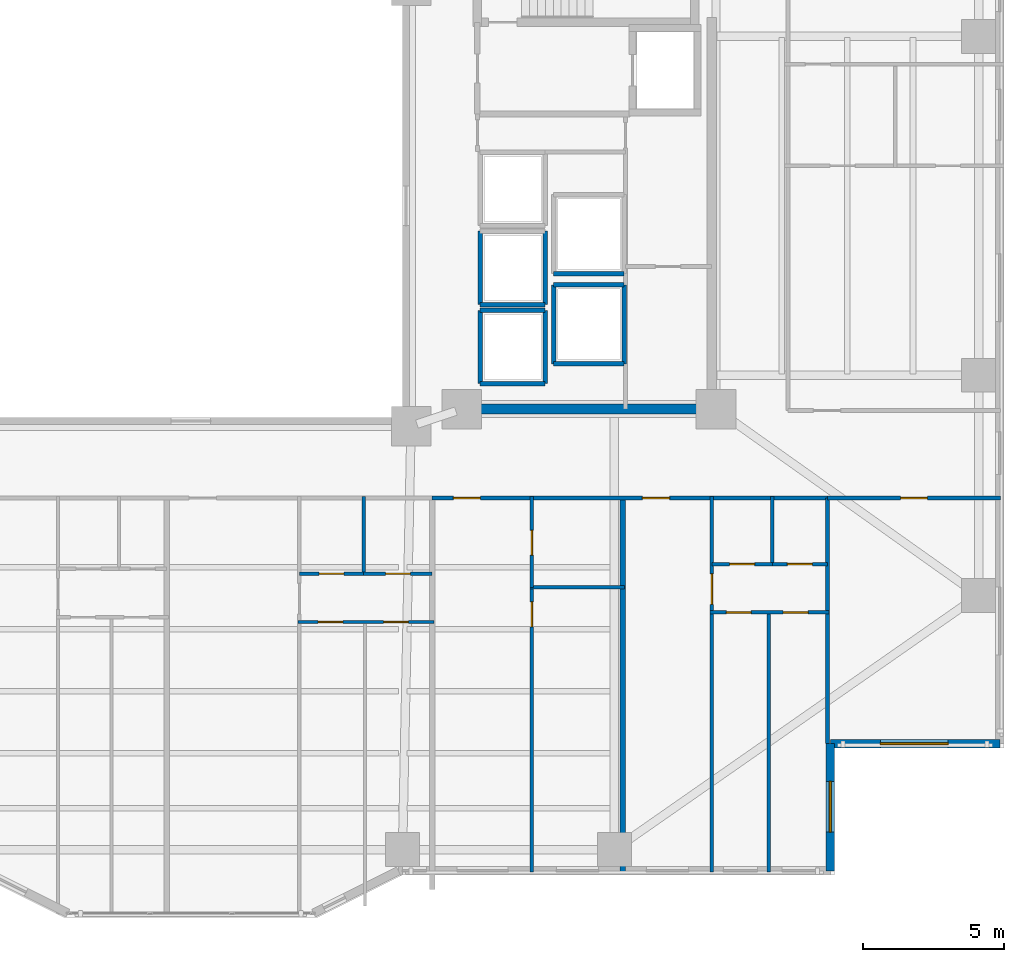
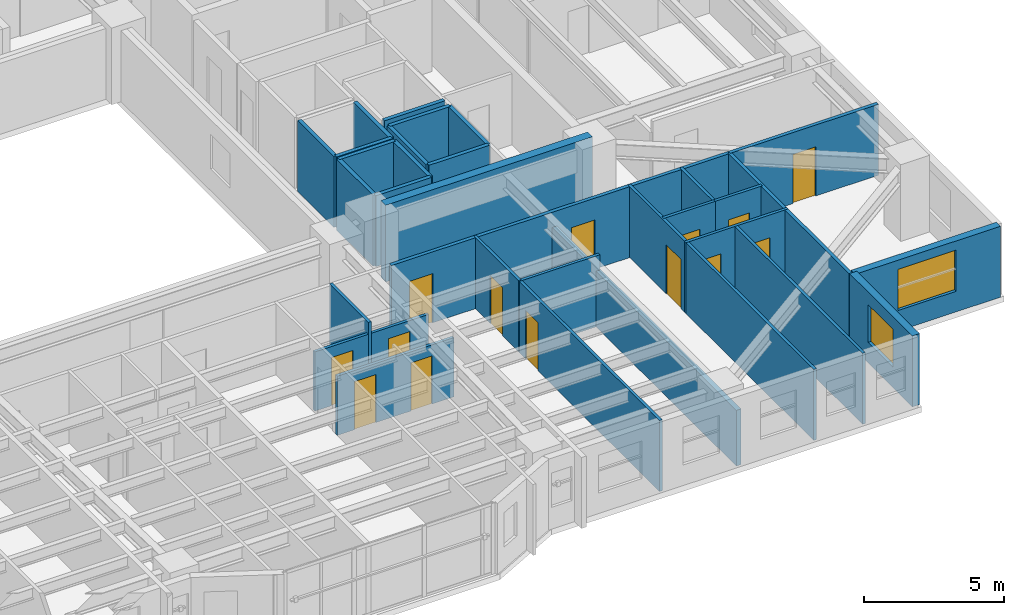
# One storey, part 12 of 21: 32 walls, 14 doors, 2 windows, 16 openings.
"""IFC4 building model written with IfcOpenShell, lengths in metres."""

from ifc_helpers import new_model, si_unit, direction, frame, frame_2d, origin, place, context, subcontext, project, spatial, rectangle, extrude, material, layer, layer_set, type_object, element, fill, save


model = new_model("IFC4")

# Units and contexts
model_context = context("Model", 3, precision=1e-05, world=origin(), true_north=direction((0.0, 1.0)))
body_context = subcontext(model_context, "Body", "Model", "MODEL_VIEW")
ifc_project = project(units=[si_unit("LENGTHUNIT", "METRE"), si_unit("AREAUNIT", "SQUARE_METRE"), si_unit("VOLUMEUNIT", "CUBIC_METRE"), si_unit("PLANEANGLEUNIT", "RADIAN"), si_unit("MASSUNIT", "GRAM", prefix="KILO")], contexts=[model_context])

# Site, building, storey
site_placement = place(None, origin())
site = spatial("IfcSite", under=ifc_project, at=site_placement, CompositionType="ELEMENT")
building_placement = place(site_placement, origin())
building = spatial("IfcBuilding", under=site, at=building_placement, Name="Tarnavaz Court Tower", CompositionType="ELEMENT")
storey_placement = place(building_placement, frame((0.0, 0.0, 44.10009765625)))
storey = spatial("IfcBuildingStorey", under=building, at=storey_placement, Name="L11", CompositionType="ELEMENT", Elevation=44.10009765625)

# Wall
ifc_material_1 = material(Name="Concrete C60/75", Category="concrete")
ifc_layer_1 = layer(ifc_material_1, 0.35009765625)
ifc_layer_set_1 = layer_set([ifc_layer_1], Name="Concrete C60/75")
wall_type_1 = type_object("IfcWallType", Name="WL-CORE-350-C60", PredefinedType="SHEAR", material=ifc_layer_set_1)
wall_1_placement = place(storey_placement, frame((10.074951171875, -7.199951171875, 0.0), z_axis=(0.0, 0.0, 1.0), x_axis=(1.0, 0.0, 0.0)))
element("IfcWall", 1, at=wall_1_placement, inside=storey, type_object=wall_type_1, Name="L11 East Core South Shear Wall 072", PredefinedType="SHEAR", context=body_context, shape_type="SweptSolid", body=[
    extrude(rectangle(XDim=8.550048828125, YDim=0.35009765625, at=frame_2d((4.27490234375, 0.0))), origin(), (0.0, 0.0, 1.0), 3.349853515625),
])

# Wall, opening, window
ifc_material_2 = material(Name="Precast Concrete C40/50", Category="concrete")
ifc_layer_2 = layer(ifc_material_2, 0.300048828125)
ifc_layer_set_2 = layer_set([ifc_layer_2], Name="Precast Concrete C40/50")
wall_type_2 = type_object("IfcWallType", Name="WL-EXT-300", PredefinedType="SOLIDWALL", material=ifc_layer_set_2)
wall_2_placement = place(storey_placement, frame((28.64990234375, -19.050048828125, 0.0), z_axis=(0.0, 0.0, 1.0), x_axis=(-1.0, 0.0, 0.0)))
wall_2 = element("IfcWall", 2, at=wall_2_placement, inside=storey, type_object=wall_type_2, Name="L11 Exterior Terracotta Facade Wall 13", PredefinedType="SOLIDWALL", context=body_context, shape_type="SweptSolid", body=[
    extrude(rectangle(XDim=6.0, YDim=0.300048828125, at=frame_2d((3.0, 0.0))), origin(), (0.0, 0.0, 1.0), 3.099853515625),
])
opening_1_placement = place(wall_2_placement, frame((1.824951171875, 0.0, 0.89990234375)))
opening_1 = element("IfcOpeningElement", 3, at=opening_1_placement, cuts=wall_2, Name="Opening W06", PredefinedType="OPENING", context=body_context, shape_type="SweptSolid", body=[
    extrude(rectangle(XDim=2.39990234375, YDim=1.800048828125, at=frame_2d((1.199951171875, 0.89990234375))), frame((0.0, 0.159912109375, 0.0), z_axis=(0.0, -1.0, 0.0), x_axis=(1.0, 0.0, 0.0)), (0.0, 0.0, 1.0), 0.320068359375),
])
ifc_material_3 = material(Name="Double-Glazed Solar Low-E Glass", Category="glass")
window_type_1 = type_object("IfcWindowType", Name="WN-APT-2400", PartitioningType="TRIPLE_PANEL_VERTICAL", PredefinedType="WINDOW", material=ifc_material_3)
window_1_placement = place(opening_1_placement, origin())
window_1 = element("IfcWindow", 4, at=window_1_placement, inside=storey, type_object=window_type_1, Name="L11 South-East Corner Reading Room Window", OverallHeight=1.800048828125, OverallWidth=2.39990234375, PartitioningType="SINGLE_PANEL", PredefinedType="WINDOW", context=body_context, shape_type="SweptSolid", body=[
    extrude(rectangle(XDim=2.39990234375, YDim=1.800048828125, at=frame_2d((1.199951171875, 0.89990234375))), frame((0.0, 0.030029296875, 0.0), z_axis=(0.0, -1.0, 0.0), x_axis=(1.0, 0.0, 0.0)), (0.0, 0.0, 1.0), 0.06005859375),
])
fill(opening_1, window_1)

wall_3_placement = place(storey_placement, frame((22.64990234375, -19.050048828125, 0.0), z_axis=(0.0, 0.0, 1.0), x_axis=(0.0, -1.0, 0.0)))
wall_3 = element("IfcWall", 5, at=wall_3_placement, inside=storey, type_object=wall_type_2, Name="L11 Exterior Terracotta Facade Wall 14", PredefinedType="SOLIDWALL", context=body_context, shape_type="SweptSolid", body=[
    extrude(rectangle(XDim=4.5, YDim=0.300048828125, at=frame_2d((2.25, 0.0))), origin(), (0.0, 0.0, 1.0), 3.099853515625),
])
opening_2_placement = place(wall_3_placement, frame((1.33251953125, 0.0, 0.89990234375)))
opening_2 = element("IfcOpeningElement", 6, at=opening_2_placement, cuts=wall_3, Name="Opening W01", PredefinedType="OPENING", context=body_context, shape_type="SweptSolid", body=[
    extrude(rectangle(XDim=1.800048828125, YDim=1.64990234375, at=frame_2d((0.89990234375, 0.824951171875))), frame((0.0, 0.159912109375, 0.0), z_axis=(0.0, -1.0, 0.0), x_axis=(1.0, 0.0, 0.0)), (0.0, 0.0, 1.0), 0.320068359375),
])
window_type_2 = type_object("IfcWindowType", Name="WN-APT-1800", PartitioningType="DOUBLE_PANEL_VERTICAL", PredefinedType="WINDOW", material=ifc_material_3)
window_2_placement = place(opening_2_placement, origin())
window_2 = element("IfcWindow", 7, at=window_2_placement, inside=storey, type_object=window_type_2, Name="L11 Flat 04 Bedroom 2 Window", OverallHeight=1.64990234375, OverallWidth=1.800048828125, PartitioningType="SINGLE_PANEL", PredefinedType="WINDOW", context=body_context, shape_type="SweptSolid", body=[
    extrude(rectangle(XDim=1.800048828125, YDim=1.64990234375, at=frame_2d((0.89990234375, 0.824951171875))), frame((0.0, 0.030029296875, 0.0), z_axis=(0.0, -1.0, 0.0), x_axis=(1.0, 0.0, 0.0)), (0.0, 0.0, 1.0), 0.06005859375),
])
fill(opening_2, window_2)

# Wall, openings, doors
ifc_material_4 = material(Name="Gypsum Fire-Board on Acoustic Metal Stud", Category="masonry")
ifc_layer_3 = layer(ifc_material_4, 0.14990234375)
ifc_layer_set_3 = layer_set([ifc_layer_3], Name="Gypsum Fire-Board on Acoustic Metal Stud")
wall_type_3 = type_object("IfcWallType", Name="WL-FIRE-150", PredefinedType="PARTITIONING", material=ifc_layer_set_3)
wall_4_placement = place(storey_placement, frame((8.550048828125, -10.35009765625, 0.0), z_axis=(0.0, 0.0, 1.0), x_axis=(1.0, 0.0, 0.0)))
wall_4 = element("IfcWall", 8, at=wall_4_placement, inside=storey, type_object=wall_type_3, Name="L11 SE Corridor Wall 086", PredefinedType="PARTITIONING", context=body_context, shape_type="SweptSolid", body=[
    extrude(rectangle(XDim=14.0, YDim=0.14990234375, at=frame_2d((7.0, 0.0))), origin(), (0.0, 0.0, 1.0), 3.099853515625),
])
opening_3_placement = place(wall_4_placement, frame((0.75, 0.0, 0.0)))
opening_3 = element("IfcOpeningElement", 9, at=opening_3_placement, cuts=wall_4, Name="Opening D06", PredefinedType="OPENING", context=body_context, shape_type="SweptSolid", body=[
    extrude(rectangle(XDim=0.9599609375, YDim=2.14990234375, at=frame_2d((0.47998046875, 1.074951171875))), frame((0.0, 0.0849609375, 0.0), z_axis=(0.0, -1.0, 0.0), x_axis=(1.0, 0.0, 0.0)), (0.0, 0.0, 1.0), 0.169921875),
])
opening_4_placement = place(wall_4_placement, frame((7.446044921875, 0.0, 0.0)))
opening_4 = element("IfcOpeningElement", 10, at=opening_4_placement, cuts=wall_4, Name="Opening D06", PredefinedType="OPENING", context=body_context, shape_type="SweptSolid", body=[
    extrude(rectangle(XDim=0.9599609375, YDim=2.14990234375, at=frame_2d((0.47998046875, 1.074951171875))), frame((0.0, 0.0849609375, 0.0), z_axis=(0.0, -1.0, 0.0), x_axis=(1.0, 0.0, 0.0)), (0.0, 0.0, 1.0), 0.169921875),
])
ifc_material_5 = material(Name="Fire-Rated Hardwood Timber Core", Category="wood")
door_type_1 = type_object("IfcDoorType", Name="DR-FD60-950", OperationType="NOTDEFINED", PredefinedType="DOOR", material=ifc_material_5)
door_1_placement = place(opening_3_placement, origin())
door_1 = element("IfcDoor", 11, at=door_1_placement, inside=storey, type_object=door_type_1, Name="L11 Flat 03 Entrance Door", OperationType="SINGLE_SWING_LEFT", OverallHeight=2.14990234375, OverallWidth=0.9599609375, PredefinedType="DOOR", context=body_context, shape_type="SweptSolid", body=[
    extrude(rectangle(XDim=0.9599609375, YDim=2.14990234375, at=frame_2d((0.47998046875, 1.074951171875))), frame((0.0, 0.02490234375, 0.0), z_axis=(0.0, -1.0, 0.0), x_axis=(1.0, 0.0, 0.0)), (0.0, 0.0, 1.0), 0.050048828125),
])
fill(opening_3, door_1)
door_2_placement = place(opening_4_placement, origin())
door_2 = element("IfcDoor", 12, at=door_2_placement, inside=storey, type_object=door_type_1, Name="L11 Flat 04 Entrance Door", OperationType="SINGLE_SWING_RIGHT", OverallHeight=2.14990234375, OverallWidth=0.9599609375, PredefinedType="DOOR", context=body_context, shape_type="SweptSolid", body=[
    extrude(rectangle(XDim=0.9599609375, YDim=2.14990234375, at=frame_2d((0.47998046875, 1.074951171875))), frame((0.0, 0.02490234375, 0.0), z_axis=(0.0, -1.0, 0.0), x_axis=(1.0, 0.0, 0.0)), (0.0, 0.0, 1.0), 0.050048828125),
])
fill(opening_4, door_2)

# Wall, opening, door
wall_5_placement = place(storey_placement, frame((22.550048828125, -10.35009765625, 0.0), z_axis=(0.0, 0.0, 1.0), x_axis=(1.0, 0.0, 0.0)))
wall_5 = element("IfcWall", 13, at=wall_5_placement, inside=storey, type_object=wall_type_3, Name="L11 Interior Partition 139", PredefinedType="PARTITIONING", context=body_context, shape_type="SweptSolid", body=[
    extrude(rectangle(XDim=6.1298828125, YDim=0.14990234375, at=frame_2d((3.06494140625, 0.0))), origin(), (0.0, 0.0, 1.0), 3.099853515625),
])
opening_5_placement = place(wall_5_placement, frame((2.590087890625, 0.0, 0.0)))
opening_5 = element("IfcOpeningElement", 14, at=opening_5_placement, cuts=wall_5, Name="Opening D13", PredefinedType="OPENING", context=body_context, shape_type="SweptSolid", body=[
    extrude(rectangle(XDim=0.949951171875, YDim=2.14990234375, at=frame_2d((0.47509765625, 1.074951171875))), frame((0.0, 0.0849609375, 0.0), z_axis=(0.0, -1.0, 0.0), x_axis=(1.0, 0.0, 0.0)), (0.0, 0.0, 1.0), 0.169921875),
])
ifc_material_6 = material(Name="Engineered Oak Timber", Category="wood")
door_type_2 = type_object("IfcDoorType", Name="DR-INT-950", OperationType="NOTDEFINED", PredefinedType="DOOR", material=ifc_material_6)
door_3_placement = place(opening_5_placement, origin())
door_3 = element("IfcDoor", 15, at=door_3_placement, inside=storey, type_object=door_type_2, Name="L11 SE Reading Room Door", OperationType="SINGLE_SWING_LEFT", OverallHeight=2.14990234375, OverallWidth=0.949951171875, PredefinedType="DOOR", context=body_context, shape_type="SweptSolid", body=[
    extrude(rectangle(XDim=0.949951171875, YDim=2.14990234375, at=frame_2d((0.47509765625, 1.074951171875))), frame((0.0, 0.02490234375, 0.0), z_axis=(0.0, -1.0, 0.0), x_axis=(1.0, 0.0, 0.0)), (0.0, 0.0, 1.0), 0.050048828125),
])
fill(opening_5, door_3)

# Wall
ifc_material_7 = material(Name="Autoclaved Aerated Concrete Blockwork", Category="masonry")
ifc_layer_4 = layer(ifc_material_7, 0.199951171875)
ifc_layer_set_4 = layer_set([ifc_layer_4], Name="Autoclaved Aerated Concrete Blockwork")
wall_type_4 = type_object("IfcWallType", Name="WL-FIRE-200", PredefinedType="SOLIDWALL", material=ifc_layer_set_4)
wall_6_placement = place(storey_placement, frame((15.2958984375, -23.60009765625, 0.0), z_axis=(0.0, 0.0, 1.0), x_axis=(0.0, 1.0, 0.0)))
element("IfcWall", 16, at=wall_6_placement, inside=storey, type_object=wall_type_4, Name="L11 Party Wall 103", PredefinedType="SOLIDWALL", context=body_context, shape_type="SweptSolid", body=[
    extrude(rectangle(XDim=13.25, YDim=0.199951171875, at=frame_2d((6.625, 0.0))), origin(), (0.0, 0.0, 1.0), 2.434814453125),
])

# Wall, opening, door
ifc_material_8 = material(Name="Moisture-Resistant Gypsum Board Partition", Category="masonry")
ifc_layer_5 = layer(ifc_material_8, 0.1201171875)
ifc_layer_set_5 = layer_set([ifc_layer_5], Name="Moisture-Resistant Gypsum Board Partition")
wall_type_5 = type_object("IfcWallType", Name="WL-PART-120", PredefinedType="PARTITIONING", material=ifc_layer_set_5)
wall_7_placement = place(storey_placement, frame((12.080078125, -23.60009765625, 0.0), z_axis=(0.0, 0.0, 1.0), x_axis=(0.0, 1.0, 0.0)))
wall_7 = element("IfcWall", 17, at=wall_7_placement, inside=storey, type_object=wall_type_5, Name="L11 Interior Partition 104", PredefinedType="PARTITIONING", context=body_context, shape_type="SweptSolid", body=[
    extrude(rectangle(XDim=10.090087890625, YDim=0.1201171875, at=frame_2d((5.044921875, 0.0))), origin(), (0.0, 0.0, 1.0), 3.099853515625),
])
opening_6_placement = place(wall_7_placement, frame((8.68994140625, 0.0, 0.0)))
opening_6 = element("IfcOpeningElement", 18, at=opening_6_placement, cuts=wall_7, Name="Opening D14", PredefinedType="OPENING", context=body_context, shape_type="SweptSolid", body=[
    extrude(rectangle(XDim=0.8798828125, YDim=2.10009765625, at=frame_2d((0.43994140625, 1.050048828125))), frame((0.0, 0.070068359375, 0.0), z_axis=(0.0, -1.0, 0.0), x_axis=(1.0, 0.0, 0.0)), (0.0, 0.0, 1.0), 0.14013671875),
])
door_type_3 = type_object("IfcDoorType", Name="DR-INT-900", OperationType="NOTDEFINED", PredefinedType="DOOR", material=ifc_material_6)
door_4_placement = place(opening_6_placement, origin())
door_4 = element("IfcDoor", 19, at=door_4_placement, inside=storey, type_object=door_type_3, Name="L11 Flat 03 Kitchen Door", OperationType="SINGLE_SWING_RIGHT", OverallHeight=2.10009765625, OverallWidth=0.8798828125, PredefinedType="DOOR", context=body_context, shape_type="SweptSolid", body=[
    extrude(rectangle(XDim=0.8798828125, YDim=2.10009765625, at=frame_2d((0.43994140625, 1.050048828125))), frame((0.0, 0.02490234375, 0.0), z_axis=(0.0, -1.0, 0.0), x_axis=(1.0, 0.0, 0.0)), (0.0, 0.0, 1.0), 0.050048828125),
])
fill(opening_6, door_4)

wall_8_placement = place(storey_placement, frame((12.080078125, -13.510009765625, 0.0), z_axis=(0.0, 0.0, 1.0), x_axis=(0.0, 1.0, 0.0)))
wall_8 = element("IfcWall", 20, at=wall_8_placement, inside=storey, type_object=wall_type_5, Name="L11 Interior Partition 105", PredefinedType="PARTITIONING", context=body_context, shape_type="SweptSolid", body=[
    extrude(rectangle(XDim=3.219970703125, YDim=0.1201171875, at=frame_2d((1.60986328125, 0.0))), origin(), (0.0, 0.0, 1.0), 3.099853515625),
])
opening_7_placement = place(wall_8_placement, frame((1.139892578125, 0.0, 0.0)))
opening_7 = element("IfcOpeningElement", 21, at=opening_7_placement, cuts=wall_8, Name="Opening D14", PredefinedType="OPENING", context=body_context, shape_type="SweptSolid", body=[
    extrude(rectangle(XDim=0.8798828125, YDim=2.10009765625, at=frame_2d((0.43994140625, 1.050048828125))), frame((0.0, 0.070068359375, 0.0), z_axis=(0.0, -1.0, 0.0), x_axis=(1.0, 0.0, 0.0)), (0.0, 0.0, 1.0), 0.14013671875),
])
door_5_placement = place(opening_7_placement, origin())
door_5 = element("IfcDoor", 22, at=door_5_placement, inside=storey, type_object=door_type_3, Name="L11 Flat 03 Bathroom Door", OperationType="SINGLE_SWING_LEFT", OverallHeight=2.10009765625, OverallWidth=0.8798828125, PredefinedType="DOOR", context=body_context, shape_type="SweptSolid", body=[
    extrude(rectangle(XDim=0.8798828125, YDim=2.10009765625, at=frame_2d((0.43994140625, 1.050048828125))), frame((0.0, 0.02490234375, 0.0), z_axis=(0.0, -1.0, 0.0), x_axis=(1.0, 0.0, 0.0)), (0.0, 0.0, 1.0), 0.050048828125),
])
fill(opening_7, door_5)

# Wall
wall_9_placement = place(storey_placement, frame((12.02001953125, -13.510009765625, 0.0), z_axis=(0.0, 0.0, 1.0), x_axis=(1.0, 0.0, 0.0)))
element("IfcWall", 23, at=wall_9_placement, inside=storey, type_object=wall_type_5, Name="L11 Interior Partition 106", PredefinedType="PARTITIONING", context=body_context, shape_type="SweptSolid", body=[
    extrude(rectangle(XDim=3.3359375, YDim=0.1201171875, at=frame_2d((1.66796875, 0.0))), origin(), (0.0, 0.0, 1.0), 3.099853515625),
])

# Wall, opening, door
wall_10_placement = place(storey_placement, frame((18.4560546875, -23.60009765625, 0.0), z_axis=(0.0, 0.0, 1.0), x_axis=(0.0, 1.0, 0.0)))
wall_10 = element("IfcWall", 24, at=wall_10_placement, inside=storey, type_object=wall_type_5, Name="L11 Interior Partition 107", PredefinedType="PARTITIONING", context=body_context, shape_type="SweptSolid", body=[
    extrude(rectangle(XDim=13.31005859375, YDim=0.1201171875, at=frame_2d((6.655029296875, 0.0))), origin(), (0.0, 0.0, 1.0), 3.099853515625),
])
opening_8_placement = place(wall_10_placement, frame((9.485107421875, 0.0, 0.0)))
opening_8 = element("IfcOpeningElement", 25, at=opening_8_placement, cuts=wall_10, Name="Opening D12", PredefinedType="OPENING", context=body_context, shape_type="SweptSolid", body=[
    extrude(rectangle(XDim=1.080078125, YDim=2.14990234375, at=frame_2d((0.5400390625, 1.074951171875))), frame((0.0, 0.070068359375, 0.0), z_axis=(0.0, -1.0, 0.0), x_axis=(1.0, 0.0, 0.0)), (0.0, 0.0, 1.0), 0.14013671875),
])
door_type_4 = type_object("IfcDoorType", Name="DR-INT-1100", OperationType="NOTDEFINED", PredefinedType="DOOR", material=ifc_material_6)
door_6_placement = place(opening_8_placement, origin())
door_6 = element("IfcDoor", 26, at=door_6_placement, inside=storey, type_object=door_type_4, Name="L11 Flat 04 Foyer Door", OperationType="SINGLE_SWING_LEFT", OverallHeight=2.14990234375, OverallWidth=1.080078125, PredefinedType="DOOR", context=body_context, shape_type="SweptSolid", body=[
    extrude(rectangle(XDim=1.080078125, YDim=2.14990234375, at=frame_2d((0.5400390625, 1.074951171875))), frame((0.0, 0.02490234375, 0.0), z_axis=(0.0, -1.0, 0.0), x_axis=(1.0, 0.0, 0.0)), (0.0, 0.0, 1.0), 0.050048828125),
])
fill(opening_8, door_6)

wall_11_placement = place(storey_placement, frame((18.4560546875, -12.68994140625, 0.0), z_axis=(0.0, 0.0, 1.0), x_axis=(1.0, 0.0, 0.0)))
wall_11 = element("IfcWall", 27, at=wall_11_placement, inside=storey, type_object=wall_type_5, Name="L11 Interior Partition 108", PredefinedType="PARTITIONING", context=body_context, shape_type="SweptSolid", body=[
    extrude(rectangle(XDim=2.137939453125, YDim=0.1201171875, at=frame_2d((1.06884765625, 0.0))), origin(), (0.0, 0.0, 1.0), 3.099853515625),
])
opening_9_placement = place(wall_11_placement, frame((0.62890625, 0.0, 0.0)))
opening_9 = element("IfcOpeningElement", 28, at=opening_9_placement, cuts=wall_11, Name="Opening D14", PredefinedType="OPENING", context=body_context, shape_type="SweptSolid", body=[
    extrude(rectangle(XDim=0.8798828125, YDim=2.10009765625, at=frame_2d((0.43994140625, 1.050048828125))), frame((0.0, 0.070068359375, 0.0), z_axis=(0.0, -1.0, 0.0), x_axis=(1.0, 0.0, 0.0)), (0.0, 0.0, 1.0), 0.14013671875),
])
door_7_placement = place(opening_9_placement, origin())
door_7 = element("IfcDoor", 29, at=door_7_placement, inside=storey, type_object=door_type_3, Name="L11 Flat 04 Kitchen Door", OperationType="SINGLE_SWING_RIGHT", OverallHeight=2.10009765625, OverallWidth=0.8798828125, PredefinedType="DOOR", context=body_context, shape_type="SweptSolid", body=[
    extrude(rectangle(XDim=0.8798828125, YDim=2.10009765625, at=frame_2d((0.43994140625, 1.050048828125))), frame((0.0, 0.02490234375, 0.0), z_axis=(0.0, -1.0, 0.0), x_axis=(1.0, 0.0, 0.0)), (0.0, 0.0, 1.0), 0.050048828125),
])
fill(opening_9, door_7)

wall_12_placement = place(storey_placement, frame((20.593994140625, -12.68994140625, 0.0), z_axis=(0.0, 0.0, 1.0), x_axis=(1.0, 0.0, 0.0)))
wall_12 = element("IfcWall", 30, at=wall_12_placement, inside=storey, type_object=wall_type_5, Name="L11 Interior Partition 109", PredefinedType="PARTITIONING", context=body_context, shape_type="SweptSolid", body=[
    extrude(rectangle(XDim=1.9560546875, YDim=0.1201171875, at=frame_2d((0.97802734375, 0.0))), origin(), (0.0, 0.0, 1.0), 3.099853515625),
])
opening_10_placement = place(wall_12_placement, frame((0.5380859375, 0.0, 0.0)))
opening_10 = element("IfcOpeningElement", 31, at=opening_10_placement, cuts=wall_12, Name="Opening D14", PredefinedType="OPENING", context=body_context, shape_type="SweptSolid", body=[
    extrude(rectangle(XDim=0.8798828125, YDim=2.10009765625, at=frame_2d((0.43994140625, 1.050048828125))), frame((0.0, 0.070068359375, 0.0), z_axis=(0.0, -1.0, 0.0), x_axis=(1.0, 0.0, 0.0)), (0.0, 0.0, 1.0), 0.14013671875),
])
door_8_placement = place(opening_10_placement, origin())
door_8 = element("IfcDoor", 32, at=door_8_placement, inside=storey, type_object=door_type_3, Name="L11 Flat 04 Bathroom Door", OperationType="SINGLE_SWING_LEFT", OverallHeight=2.10009765625, OverallWidth=0.8798828125, PredefinedType="DOOR", context=body_context, shape_type="SweptSolid", body=[
    extrude(rectangle(XDim=0.8798828125, YDim=2.10009765625, at=frame_2d((0.43994140625, 1.050048828125))), frame((0.0, 0.02490234375, 0.0), z_axis=(0.0, -1.0, 0.0), x_axis=(1.0, 0.0, 0.0)), (0.0, 0.0, 1.0), 0.050048828125),
])
fill(opening_10, door_8)

# Wall, openings, doors
wall_13_placement = place(storey_placement, frame((18.39599609375, -14.39990234375, 0.0), z_axis=(0.0, 0.0, 1.0), x_axis=(1.0, 0.0, 0.0)))
wall_13 = element("IfcWall", 33, at=wall_13_placement, inside=storey, type_object=wall_type_5, Name="L11 Interior Partition 110", PredefinedType="PARTITIONING", context=body_context, shape_type="SweptSolid", body=[
    extrude(rectangle(XDim=4.214111328125, YDim=0.1201171875, at=frame_2d((2.10693359375, 0.0))), origin(), (0.0, 0.0, 1.0), 3.099853515625),
])
opening_11_placement = place(wall_13_placement, frame((0.569091796875, 0.0, 0.0)))
opening_11 = element("IfcOpeningElement", 34, at=opening_11_placement, cuts=wall_13, Name="Opening D14", PredefinedType="OPENING", context=body_context, shape_type="SweptSolid", body=[
    extrude(rectangle(XDim=0.8798828125, YDim=2.10009765625, at=frame_2d((0.43994140625, 1.050048828125))), frame((0.0, 0.070068359375, 0.0), z_axis=(0.0, -1.0, 0.0), x_axis=(1.0, 0.0, 0.0)), (0.0, 0.0, 1.0), 0.14013671875),
])
opening_12_placement = place(wall_13_placement, frame((2.5859375, 0.0, 0.0)))
opening_12 = element("IfcOpeningElement", 35, at=opening_12_placement, cuts=wall_13, Name="Opening D14", PredefinedType="OPENING", context=body_context, shape_type="SweptSolid", body=[
    extrude(rectangle(XDim=0.8798828125, YDim=2.10009765625, at=frame_2d((0.43994140625, 1.050048828125))), frame((0.0, 0.070068359375, 0.0), z_axis=(0.0, -1.0, 0.0), x_axis=(1.0, 0.0, 0.0)), (0.0, 0.0, 1.0), 0.14013671875),
])
door_9_placement = place(opening_11_placement, origin())
door_9 = element("IfcDoor", 36, at=door_9_placement, inside=storey, type_object=door_type_3, Name="L11 Flat 04 Bedroom 1 Door", OperationType="SINGLE_SWING_RIGHT", OverallHeight=2.10009765625, OverallWidth=0.8798828125, PredefinedType="DOOR", context=body_context, shape_type="SweptSolid", body=[
    extrude(rectangle(XDim=0.8798828125, YDim=2.10009765625, at=frame_2d((0.43994140625, 1.050048828125))), frame((0.0, 0.02490234375, 0.0), z_axis=(0.0, -1.0, 0.0), x_axis=(1.0, 0.0, 0.0)), (0.0, 0.0, 1.0), 0.050048828125),
])
fill(opening_11, door_9)
door_10_placement = place(opening_12_placement, origin())
door_10 = element("IfcDoor", 37, at=door_10_placement, inside=storey, type_object=door_type_3, Name="L11 Flat 04 Bedroom 2 Door", OperationType="SINGLE_SWING_LEFT", OverallHeight=2.10009765625, OverallWidth=0.8798828125, PredefinedType="DOOR", context=body_context, shape_type="SweptSolid", body=[
    extrude(rectangle(XDim=0.8798828125, YDim=2.10009765625, at=frame_2d((0.43994140625, 1.050048828125))), frame((0.0, 0.02490234375, 0.0), z_axis=(0.0, -1.0, 0.0), x_axis=(1.0, 0.0, 0.0)), (0.0, 0.0, 1.0), 0.050048828125),
])
fill(opening_12, door_10)

# Walls
wall_14_placement = place(storey_placement, frame((20.593994140625, -12.75, 0.0), z_axis=(0.0, 0.0, 1.0), x_axis=(0.0, 1.0, 0.0)))
element("IfcWall", 38, at=wall_14_placement, inside=storey, type_object=wall_type_5, Name="L11 Interior Partition 111", PredefinedType="PARTITIONING", context=body_context, shape_type="SweptSolid", body=[
    extrude(rectangle(XDim=2.4599609375, YDim=0.1201171875, at=frame_2d((1.22998046875, 0.0))), origin(), (0.0, 0.0, 1.0), 3.099853515625),
])
wall_15_placement = place(storey_placement, frame((20.472900390625, -23.60009765625, 0.0), z_axis=(0.0, 0.0, 1.0), x_axis=(0.0, 1.0, 0.0)))
element("IfcWall", 39, at=wall_15_placement, inside=storey, type_object=wall_type_5, Name="L11 Interior Partition 112", PredefinedType="PARTITIONING", context=body_context, shape_type="SweptSolid", body=[
    extrude(rectangle(XDim=9.260009765625, YDim=0.1201171875, at=frame_2d((4.6298828125, 0.0))), origin(), (0.0, 0.0, 1.0), 3.099853515625),
])

# Wall, opening, door
wall_16_placement = place(storey_placement, frame((3.847900390625, -13.030029296875, 0.0), z_axis=(0.0, 0.0, 1.0), x_axis=(1.0, 0.0, 0.0)))
wall_16 = element("IfcWall", 40, at=wall_16_placement, inside=storey, type_object=wall_type_5, Name="L11 Interior Partition 123", PredefinedType="PARTITIONING", context=body_context, shape_type="SweptSolid", body=[
    extrude(rectangle(XDim=2.275146484375, YDim=0.1201171875, at=frame_2d((1.1376953125, 0.0))), origin(), (0.0, 0.0, 1.0), 2.5849609375),
])
opening_13_placement = place(wall_16_placement, frame((0.697998046875, 0.0, 0.0)))
opening_13 = element("IfcOpeningElement", 41, at=opening_13_placement, cuts=wall_16, Name="Opening D14", PredefinedType="OPENING", context=body_context, shape_type="SweptSolid", body=[
    extrude(rectangle(XDim=0.8798828125, YDim=2.10009765625, at=frame_2d((0.43994140625, 1.050048828125))), frame((0.0, 0.070068359375, 0.0), z_axis=(0.0, -1.0, 0.0), x_axis=(1.0, 0.0, 0.0)), (0.0, 0.0, 1.0), 0.14013671875),
])
door_11_placement = place(opening_13_placement, origin())
door_11 = element("IfcDoor", 42, at=door_11_placement, inside=storey, type_object=door_type_3, Name="L11 Flat 06 Kitchen Door", OperationType="SINGLE_SWING_RIGHT", OverallHeight=2.10009765625, OverallWidth=0.8798828125, PredefinedType="DOOR", context=body_context, shape_type="SweptSolid", body=[
    extrude(rectangle(XDim=0.8798828125, YDim=2.10009765625, at=frame_2d((0.43994140625, 1.050048828125))), frame((0.0, 0.02490234375, 0.0), z_axis=(0.0, -1.0, 0.0), x_axis=(1.0, 0.0, 0.0)), (0.0, 0.0, 1.0), 0.050048828125),
])
fill(opening_13, door_11)

wall_17_placement = place(storey_placement, frame((6.123046875, -13.030029296875, 0.0), z_axis=(0.0, 0.0, 1.0), x_axis=(1.0, 0.0, 0.0)))
wall_17 = element("IfcWall", 43, at=wall_17_placement, inside=storey, type_object=wall_type_5, Name="L11 Interior Partition 124", PredefinedType="PARTITIONING", context=body_context, shape_type="SweptSolid", body=[
    extrude(rectangle(XDim=2.427001953125, YDim=0.1201171875, at=frame_2d((1.21337890625, 0.0))), origin(), (0.0, 0.0, 1.0), 2.5849609375),
])
opening_14_placement = place(wall_17_placement, frame((0.77392578125, 0.0, 0.0)))
opening_14 = element("IfcOpeningElement", 44, at=opening_14_placement, cuts=wall_17, Name="Opening D14", PredefinedType="OPENING", context=body_context, shape_type="SweptSolid", body=[
    extrude(rectangle(XDim=0.8798828125, YDim=2.10009765625, at=frame_2d((0.43994140625, 1.050048828125))), frame((0.0, 0.070068359375, 0.0), z_axis=(0.0, -1.0, 0.0), x_axis=(1.0, 0.0, 0.0)), (0.0, 0.0, 1.0), 0.14013671875),
])
door_12_placement = place(opening_14_placement, origin())
door_12 = element("IfcDoor", 45, at=door_12_placement, inside=storey, type_object=door_type_3, Name="L11 Flat 06 Bathroom Door", OperationType="SINGLE_SWING_LEFT", OverallHeight=2.10009765625, OverallWidth=0.8798828125, PredefinedType="DOOR", context=body_context, shape_type="SweptSolid", body=[
    extrude(rectangle(XDim=0.8798828125, YDim=2.10009765625, at=frame_2d((0.43994140625, 1.050048828125))), frame((0.0, 0.02490234375, 0.0), z_axis=(0.0, -1.0, 0.0), x_axis=(1.0, 0.0, 0.0)), (0.0, 0.0, 1.0), 0.050048828125),
])
fill(opening_14, door_12)

# Wall, openings, doors
wall_18_placement = place(storey_placement, frame((3.7880859375, -14.739990234375, 0.0), z_axis=(0.0, 0.0, 1.0), x_axis=(1.0, 0.0, 0.0)))
wall_18 = element("IfcWall", 46, at=wall_18_placement, inside=storey, type_object=wall_type_5, Name="L11 Interior Partition 125", PredefinedType="PARTITIONING", context=body_context, shape_type="SweptSolid", body=[
    extrude(rectangle(XDim=4.822021484375, YDim=0.1201171875, at=frame_2d((2.4111328125, 0.0))), origin(), (0.0, 0.0, 1.0), 2.5849609375),
])
opening_15_placement = place(wall_18_placement, frame((0.720947265625, 0.0, 0.0)))
opening_15 = element("IfcOpeningElement", 47, at=opening_15_placement, cuts=wall_18, Name="Opening D14", PredefinedType="OPENING", context=body_context, shape_type="SweptSolid", body=[
    extrude(rectangle(XDim=0.8798828125, YDim=2.10009765625, at=frame_2d((0.43994140625, 1.050048828125))), frame((0.0, 0.070068359375, 0.0), z_axis=(0.0, -1.0, 0.0), x_axis=(1.0, 0.0, 0.0)), (0.0, 0.0, 1.0), 0.14013671875),
])
opening_16_placement = place(wall_18_placement, frame((3.0419921875, 0.0, 0.0)))
opening_16 = element("IfcOpeningElement", 48, at=opening_16_placement, cuts=wall_18, Name="Opening D14", PredefinedType="OPENING", context=body_context, shape_type="SweptSolid", body=[
    extrude(rectangle(XDim=0.8798828125, YDim=2.10009765625, at=frame_2d((0.43994140625, 1.050048828125))), frame((0.0, 0.070068359375, 0.0), z_axis=(0.0, -1.0, 0.0), x_axis=(1.0, 0.0, 0.0)), (0.0, 0.0, 1.0), 0.14013671875),
])
door_13_placement = place(opening_15_placement, origin())
door_13 = element("IfcDoor", 49, at=door_13_placement, inside=storey, type_object=door_type_3, Name="L11 Flat 06 Bedroom 1 Door", OperationType="SINGLE_SWING_RIGHT", OverallHeight=2.10009765625, OverallWidth=0.8798828125, PredefinedType="DOOR", context=body_context, shape_type="SweptSolid", body=[
    extrude(rectangle(XDim=0.8798828125, YDim=2.10009765625, at=frame_2d((0.43994140625, 1.050048828125))), frame((0.0, 0.02490234375, 0.0), z_axis=(0.0, -1.0, 0.0), x_axis=(1.0, 0.0, 0.0)), (0.0, 0.0, 1.0), 0.050048828125),
])
fill(opening_15, door_13)
door_14_placement = place(opening_16_placement, origin())
door_14 = element("IfcDoor", 50, at=door_14_placement, inside=storey, type_object=door_type_3, Name="L11 Flat 06 Bedroom 2 Door", OperationType="SINGLE_SWING_LEFT", OverallHeight=2.10009765625, OverallWidth=0.8798828125, PredefinedType="DOOR", context=body_context, shape_type="SweptSolid", body=[
    extrude(rectangle(XDim=0.8798828125, YDim=2.10009765625, at=frame_2d((0.43994140625, 1.050048828125))), frame((0.0, 0.02490234375, 0.0), z_axis=(0.0, -1.0, 0.0), x_axis=(1.0, 0.0, 0.0)), (0.0, 0.0, 1.0), 0.050048828125),
])
fill(opening_16, door_14)

# Walls
wall_19_placement = place(storey_placement, frame((6.123046875, -13.090087890625, 0.0), z_axis=(0.0, 0.0, 1.0), x_axis=(0.0, 1.0, 0.0)))
element("IfcWall", 51, at=wall_19_placement, inside=storey, type_object=wall_type_5, Name="L11 Interior Partition 126", PredefinedType="PARTITIONING", context=body_context, shape_type="SweptSolid", body=[
    extrude(rectangle(XDim=2.800048828125, YDim=0.1201171875, at=frame_2d((1.39990234375, 0.0))), origin(), (0.0, 0.0, 1.0), 3.099853515625),
])
ifc_material_9 = material(Name="Gypsum Plasterboard Acoustic Partition", Category="masonry")
ifc_layer_6 = layer(ifc_material_9, 0.139892578125)
ifc_layer_set_6 = layer_set([ifc_layer_6], Name="Gypsum Plasterboard Acoustic Partition")
wall_type_6 = type_object("IfcWallType", Name="WL-PART-150", PredefinedType="PARTITIONING", material=ifc_layer_set_6)
wall_20_placement = place(storey_placement, frame((22.550048828125, -19.050048828125, 0.0), z_axis=(0.0, 0.0, 1.0), x_axis=(0.0, 1.0, 0.0)))
element("IfcWall", 52, at=wall_20_placement, inside=storey, type_object=wall_type_6, Name="L11 Interior Partition 133", PredefinedType="PARTITIONING", context=body_context, shape_type="SweptSolid", body=[
    extrude(rectangle(XDim=8.699951171875, YDim=0.139892578125, at=frame_2d((4.35009765625, 0.0))), origin(), (0.0, 0.0, 1.0), 3.099853515625),
])
ifc_layer_7 = layer(ifc_material_7, 0.159912109375)
ifc_layer_set_7 = layer_set([ifc_layer_7], Name="Autoclaved Aerated Concrete Blockwork")
wall_type_7 = type_object("IfcWallType", Name="WL-SHAFT-150", PredefinedType="SOLIDWALL", material=ifc_layer_set_7)
for number, where, z_axis, x_axis, name in (
    (53, (10.25, -6.300048828125, 0.0), (0.0, 0.0, 1.0), (0.0, 1.0, 0.0), "L11 Lift PL-M1 Shaft Wall 049"),
    (54, (12.550048828125, -6.300048828125, 0.0), (0.0, 0.0, 1.0), (0.0, 1.0, 0.0), "L11 Lift PL-M1 Shaft Wall 050"),
):
    element("IfcWall", number, at=place(storey_placement, frame(where, z_axis=z_axis, x_axis=x_axis)), inside=storey, type_object=wall_type_7, Name=name, PredefinedType="SOLIDWALL", context=body_context, shape_type="SweptSolid", body=[
        extrude(rectangle(XDim=2.60009765625, YDim=0.159912109375, at=frame_2d((1.300048828125, 0.0))), origin(), (0.0, 0.0, 1.0), 3.099853515625),
    ])
for number, where, z_axis, x_axis, name in (
    (55, (10.25, -6.300048828125, 0.0), (0.0, 0.0, 1.0), (1.0, 0.0, 0.0), "L11 Lift PL-M1 Shaft Wall 051"),
    (56, (10.25, -3.699951171875, 0.0), (0.0, 0.0, 1.0), (1.0, 0.0, 0.0), "L11 Lift PL-M1 Shaft Wall 052"),
):
    element("IfcWall", number, at=place(storey_placement, frame(where, z_axis=z_axis, x_axis=x_axis)), inside=storey, type_object=wall_type_7, Name=name, PredefinedType="SOLIDWALL", context=body_context, shape_type="SweptSolid", body=[
        extrude(rectangle(XDim=2.300048828125, YDim=0.159912109375, at=frame_2d((1.14990234375, 0.0))), origin(), (0.0, 0.0, 1.0), 3.099853515625),
    ])
for number, where, z_axis, x_axis, name in (
    (57, (10.25, -3.5, 0.0), (0.0, 0.0, 1.0), (0.0, 1.0, 0.0), "L11 Lift PL-M2 Shaft Wall 053"),
    (58, (12.550048828125, -3.5, 0.0), (0.0, 0.0, 1.0), (0.0, 1.0, 0.0), "L11 Lift PL-M2 Shaft Wall 054"),
):
    element("IfcWall", number, at=place(storey_placement, frame(where, z_axis=z_axis, x_axis=x_axis)), inside=storey, type_object=wall_type_7, Name=name, PredefinedType="SOLIDWALL", context=body_context, shape_type="SweptSolid", body=[
        extrude(rectangle(XDim=2.60009765625, YDim=0.159912109375, at=frame_2d((1.300048828125, 0.0))), origin(), (0.0, 0.0, 1.0), 3.099853515625),
    ])
wall_21_placement = place(storey_placement, frame((10.25, -3.5, 0.0), z_axis=(0.0, 0.0, 1.0), x_axis=(1.0, 0.0, 0.0)))
element("IfcWall", 59, at=wall_21_placement, inside=storey, type_object=wall_type_7, Name="L11 Lift PL-M2 Shaft Wall 055", PredefinedType="SOLIDWALL", context=body_context, shape_type="SweptSolid", body=[
    extrude(rectangle(XDim=2.300048828125, YDim=0.159912109375, at=frame_2d((1.14990234375, 0.0))), origin(), (0.0, 0.0, 1.0), 3.099853515625),
])
for number, where, z_axis, x_axis, name in (
    (60, (12.85009765625, -5.60009765625, 0.0), (0.0, 0.0, 1.0), (0.0, 1.0, 0.0), "L11 Lift PL-OB1 Shaft Wall 061"),
    (61, (15.35009765625, -5.60009765625, 0.0), (0.0, 0.0, 1.0), (0.0, 1.0, 0.0), "L11 Lift PL-OB1 Shaft Wall 062"),
):
    element("IfcWall", number, at=place(storey_placement, frame(where, z_axis=z_axis, x_axis=x_axis)), inside=storey, type_object=wall_type_7, Name=name, PredefinedType="SOLIDWALL", context=body_context, shape_type="SweptSolid", body=[
        extrude(rectangle(XDim=2.800048828125, YDim=0.159912109375, at=frame_2d((1.39990234375, 0.0))), origin(), (0.0, 0.0, 1.0), 3.099853515625),
    ])
for number, where, z_axis, x_axis, name in (
    (62, (12.85009765625, -5.60009765625, 0.0), (0.0, 0.0, 1.0), (1.0, 0.0, 0.0), "L11 Lift PL-OB1 Shaft Wall 063"),
    (63, (12.85009765625, -2.800048828125, 0.0), (0.0, 0.0, 1.0), (1.0, 0.0, 0.0), "L11 Lift PL-OB1 Shaft Wall 064"),
    (64, (12.85009765625, -2.39990234375, 0.0), (0.0, 0.0, 1.0), (1.0, 0.0, 0.0), "L11 Lift PL-OB2 Shaft Wall 067"),
):
    element("IfcWall", number, at=place(storey_placement, frame(where, z_axis=z_axis, x_axis=x_axis)), inside=storey, type_object=wall_type_7, Name=name, PredefinedType="SOLIDWALL", context=body_context, shape_type="SweptSolid", body=[
        extrude(rectangle(XDim=2.5, YDim=0.159912109375, at=frame_2d((1.25, 0.0))), origin(), (0.0, 0.0, 1.0), 3.099853515625),
    ])

save(model, "model.ifc")
